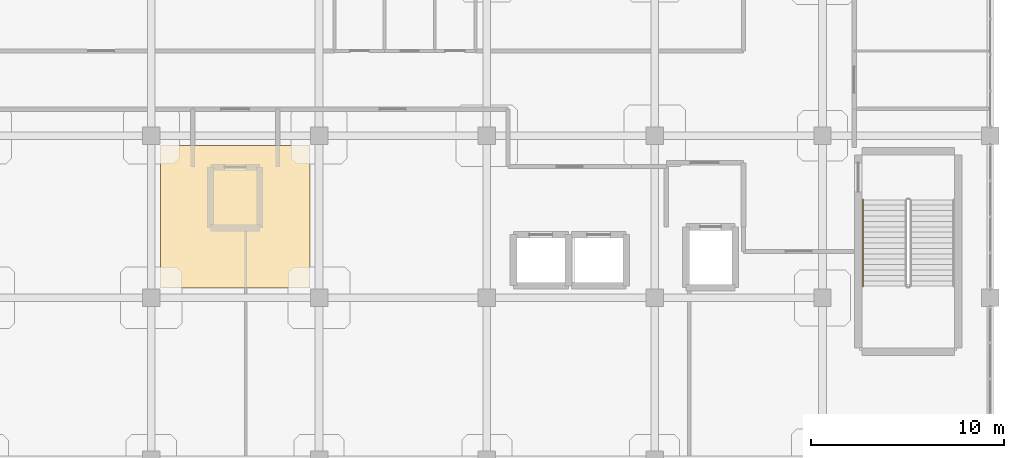
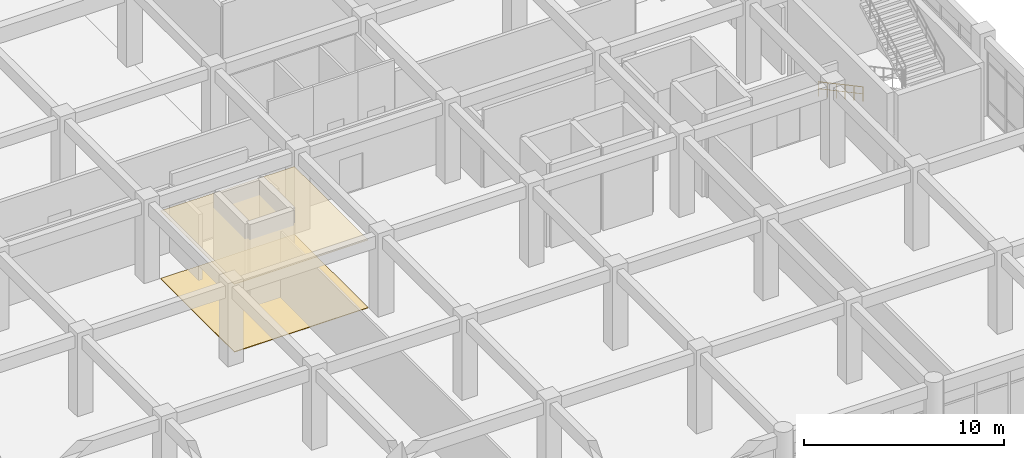
# One storey, part 109 of 120: 2 coverings, 1 railing.
"""IFC4 building model written with IfcOpenShell, lengths in metres."""

from ifc_helpers import new_model, si_unit, derived_unit, direction, frame, origin, origin_2d, place, context, subcontext, project, spatial, polyline, circle, outline, extrude, material, layer, layer_set, type_object, element, save


model = new_model("IFC4")

# Units and contexts
model_context = context("Model", 3, precision=1e-05, world=origin(), true_north=direction((0.0, 1.0)))
body_context = subcontext(model_context, "Body", "Model", "MODEL_VIEW")
ifc_project = project(units=[si_unit("LENGTHUNIT", "METRE"), si_unit("AREAUNIT", "SQUARE_METRE"), si_unit("VOLUMEUNIT", "CUBIC_METRE"), si_unit("PLANEANGLEUNIT", "RADIAN"), si_unit("MASSUNIT", "GRAM", prefix="KILO"), derived_unit("THERMALTRANSMITTANCEUNIT", [(si_unit("MASSUNIT", "GRAM", prefix="KILO"), 1), (si_unit("TIMEUNIT", "SECOND"), -3), (si_unit("THERMODYNAMICTEMPERATUREUNIT", "KELVIN"), -1)])], contexts=[model_context])

# Site, building, storey
site_placement = place(None, origin())
site = spatial("IfcSite", under=ifc_project, at=site_placement, CompositionType="ELEMENT")
building_placement = place(site_placement, origin())
building = spatial("IfcBuilding", under=site, at=building_placement, Name="Qinzheling Arcade Emporium", CompositionType="ELEMENT")
storey_placement = place(building_placement, frame((0.0, 0.0, 11.39990234375)))
storey = spatial("IfcBuildingStorey", under=building, at=storey_placement, Name="L03", CompositionType="ELEMENT", Elevation=11.39990234375)

# Coverings
ifc_material_1 = material(Name="Mineral-fibre acoustic ceiling board")
ifc_layer_1 = layer(ifc_material_1, 0.02490234375, Name="Mineral-fibre acoustic ceiling board")
ifc_layer_set_1 = layer_set([ifc_layer_1], Name="Mineral-fibre acoustic ceiling board")
covering_type_1 = type_object("IfcCoveringType", Name="Perforated Mineral Acoustic Ceiling 25", PredefinedType="CEILING", material=ifc_layer_set_1)
covering_1_placement = place(storey_placement, frame((0.0, 0.0, 4.150146484375)))
element("IfcCovering", 1, at=covering_1_placement, inside=storey, type_object=covering_type_1, Name="Acoustic Ceiling L03", PredefinedType="CEILING", context=body_context, shape_type="SweptSolid", body=[
    extrude(outline(polyline([(26.580078125, 25.699951171875), (34.320068359375, 25.699951171875), (34.320068359375, 33.10009765625), (26.580078125, 33.10009765625), (26.580078125, 25.699951171875)])), origin(), (0.0, 0.0, 1.0), 0.02490234375),
])
ifc_material_2 = material(Name="Polished terrazzo stone finish", Category="masonry")
ifc_layer_2 = layer(ifc_material_2, 0.034912109375, Name="Polished terrazzo stone finish", Category="masonry")
ifc_layer_set_2 = layer_set([ifc_layer_2], Name="Polished terrazzo stone finish")
covering_type_2 = type_object("IfcCoveringType", Name="Polished Terrazzo Retail Flooring 35", PredefinedType="FLOORING", material=ifc_layer_set_2)
covering_2_placement = place(storey_placement, origin())
element("IfcCovering", 2, at=covering_2_placement, inside=storey, type_object=covering_type_2, Name="Terrazzo Flooring L03", PredefinedType="FLOORING", context=body_context, shape_type="SweptSolid", body=[
    extrude(outline(polyline([(26.580078125, 25.699951171875), (34.320068359375, 25.699951171875), (34.320068359375, 33.10009765625), (26.580078125, 33.10009765625), (26.580078125, 25.699951171875)])), origin(), (0.0, 0.0, 1.0), 0.03515625),
])

# Railing
ifc_material_3 = material(Name="Brushed stainless steel 304", Category="steel")
railing_type = type_object("IfcRailingType", Name="Stainless Steel Wall Handrail 900", PredefinedType="HANDRAIL", material=ifc_material_3)
railing_placement = place(storey_placement, frame((63.0, 30.280029296875, 0.150146484375)))
element("IfcRailing", 3, at=railing_placement, inside=storey, type_object=railing_type, Name="L03 ST01 stair handrail 1", PredefinedType="HANDRAIL", context=body_context, shape_type="SweptSolid", body=[
    extrude(circle(Radius=0.02392578125, at=origin_2d()), frame((0.0, 0.0, 0.8759765625), z_axis=(0.0, -0.881487111273, 0.472208081951), x_axis=(1.0, 0.0, 0.0)), (0.0, 0.0, 1.0), 5.082275390625),
    extrude(circle(Radius=0.01611328125, at=origin_2d()), frame((0.0, 0.0, 0.449951171875), z_axis=(0.0, -0.881487111273, 0.472208081951), x_axis=(1.0, 0.0, 0.0)), (0.0, 0.0, 1.0), 5.082275390625),
    extrude(circle(Radius=0.02099609375, at=origin_2d()), origin(), (0.0, 0.0, 1.0), 0.851806640625),
    extrude(circle(Radius=0.02099609375, at=origin_2d()), frame((0.0, -0.89599609375, 0.47998046875)), (0.0, 0.0, 1.0), 0.851806640625),
    extrude(circle(Radius=0.02099609375, at=origin_2d()), frame((0.0, -1.7919921875, 0.9599609375)), (0.0, 0.0, 1.0), 0.851806640625),
    extrude(circle(Radius=0.02099609375, at=origin_2d()), frame((0.0, -2.68798828125, 1.43994140625)), (0.0, 0.0, 1.0), 0.851806640625),
    extrude(circle(Radius=0.02099609375, at=origin_2d()), frame((0.0, -3.583984375, 1.919921875)), (0.0, 0.0, 1.0), 0.851806640625),
    extrude(circle(Radius=0.02099609375, at=origin_2d()), frame((0.0, -4.47998046875, 2.39990234375)), (0.0, 0.0, 1.0), 0.851806640625),
])

save(model, "model.ifc")
